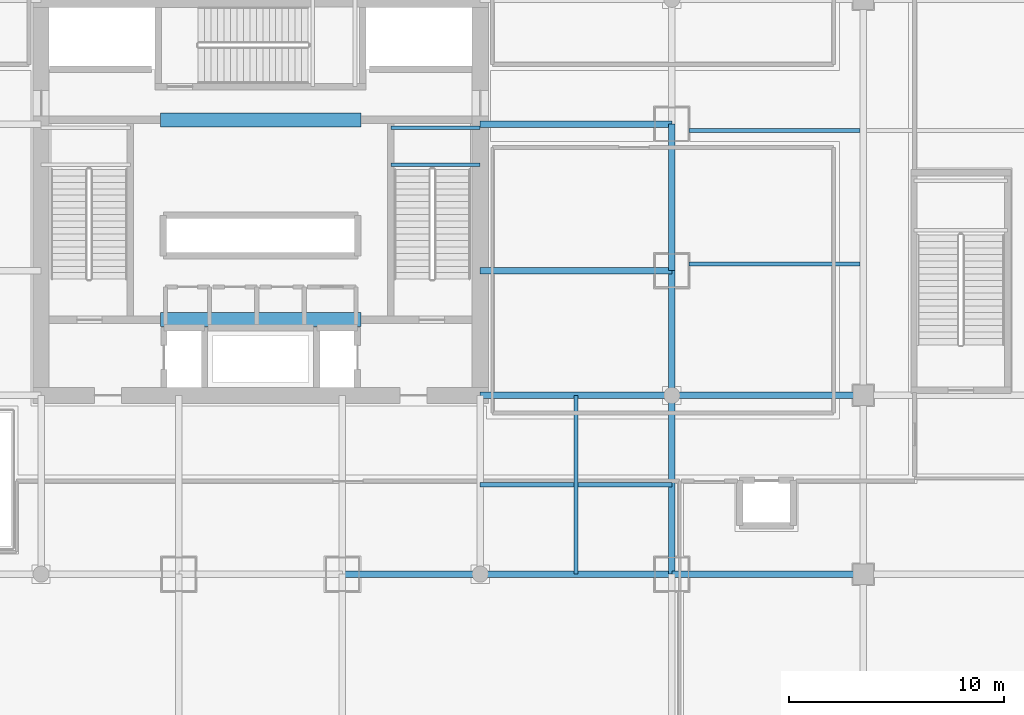
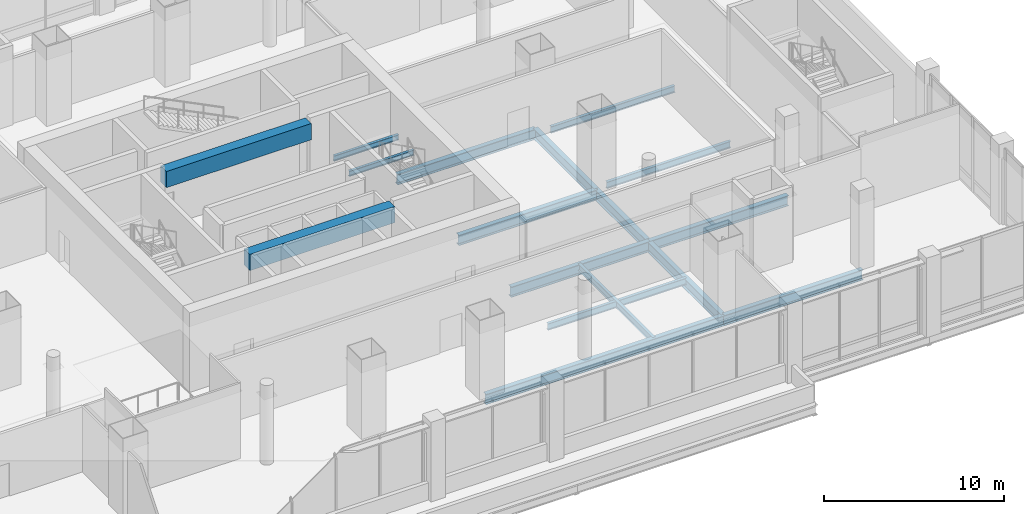
# One storey, part 11 of 43: 16 beams.
"""IFC4 building model written with IfcOpenShell, lengths in metres."""

from ifc_helpers import new_model, si_unit, direction, frame, origin, origin_2d, place, context, subcontext, project, spatial, rectangle, i_section, extrude, material, material_profile, profile_set, type_object, element, save


model = new_model("IFC4")

# Units and contexts
model_context = context("Model", 3, precision=1e-05, world=origin(), true_north=direction((0.0, 1.0)))
body_context = subcontext(model_context, "Body", "Model", "MODEL_VIEW")
ifc_project = project(units=[si_unit("LENGTHUNIT", "METRE"), si_unit("AREAUNIT", "SQUARE_METRE"), si_unit("VOLUMEUNIT", "CUBIC_METRE"), si_unit("PLANEANGLEUNIT", "RADIAN"), si_unit("MASSUNIT", "GRAM", prefix="KILO")], contexts=[model_context])

# Site, building, storey
site_placement = place(None, origin())
site = spatial("IfcSite", under=ifc_project, at=site_placement, CompositionType="ELEMENT")
building_placement = place(site_placement, origin())
building = spatial("IfcBuilding", under=site, at=building_placement, Name="Punatoya Terracotta Tower", CompositionType="ELEMENT")
storey_placement = place(building_placement, frame((0.0, 0.0, 6.0)))
storey = spatial("IfcBuildingStorey", under=building, at=storey_placement, Name="L01", CompositionType="ELEMENT", Elevation=6.0)

# Beams
ifc_material_1 = material(Name="Steel S355", Category="steel")
ifc_material_profile_1 = material_profile(ifc_material_1, i_section(OverallWidth=0.300048828125, OverallDepth=0.699951171875, WebThickness=0.01708984375, FlangeThickness=0.031982421875, FilletRadius=0.01806640625, at=origin_2d()))
ifc_profile_set_1 = profile_set([ifc_material_profile_1], Name="Steel S355")
beam_type_1 = type_object("IfcBeamType", Name="BM-PRI-700", PredefinedType="BEAM", material=ifc_profile_set_1)
beam_1_placement = place(storey_placement, frame((3.800048828125, -17.5, -0.6298828125), z_axis=(1.0, 0.0, 0.0), x_axis=(0.0, 1.0, 0.0)))
element("IfcBeam", 1, at=beam_1_placement, inside=storey, type_object=beam_type_1, Name="BM-L01-RG-S3", PredefinedType="BEAM", context=body_context, shape_type="SweptSolid", body=[
    extrude(i_section(OverallWidth=0.300048828125, OverallDepth=0.699951171875, WebThickness=0.01708984375, FlangeThickness=0.031982421875, FilletRadius=0.01806640625, at=origin_2d()), origin(), (0.0, 0.0, 1.0), 15.300048828125),
])
beam_2_placement = place(storey_placement, frame((19.10009765625, -17.5, -0.6298828125), z_axis=(0.0, 1.0, 0.0), x_axis=(-1.0, 0.0, 0.0)))
element("IfcBeam", 2, at=beam_2_placement, inside=storey, type_object=beam_type_1, Name="BM-L01-RG-E1", PredefinedType="BEAM", context=body_context, shape_type="SweptSolid", body=[
    extrude(i_section(OverallWidth=0.300048828125, OverallDepth=0.699951171875, WebThickness=0.01708984375, FlangeThickness=0.031982421875, FilletRadius=0.01806640625, at=origin_2d()), origin(), (0.0, 0.0, 1.0), 14.10009765625),
])
beam_3_placement = place(storey_placement, frame((19.10009765625, -3.39990234375, -0.6298828125), z_axis=(0.0, 1.0, 0.0), x_axis=(-1.0, 0.0, 0.0)))
element("IfcBeam", 3, at=beam_3_placement, inside=storey, type_object=beam_type_1, Name="BM-L01-RG-E2", PredefinedType="BEAM", context=body_context, shape_type="SweptSolid", body=[
    extrude(i_section(OverallWidth=0.300048828125, OverallDepth=0.699951171875, WebThickness=0.01708984375, FlangeThickness=0.031982421875, FilletRadius=0.01806640625, at=origin_2d()), origin(), (0.0, 0.0, 1.0), 6.7998046875),
])
for number, where, z_axis, x_axis, name in (
    (4, (10.199951171875, -9.199951171875, -0.6298828125), (1.0, 0.0, 0.0), (0.0, 1.0, 0.0), "BM-L01-PR-ES"),
    (5, (10.199951171875, -3.39990234375, -0.6298828125), (1.0, 0.0, 0.0), (0.0, 1.0, 0.0), "BM-L01-PR-ED"),
    (6, (10.199951171875, 3.39990234375, -0.6298828125), (1.0, 0.0, 0.0), (0.0, 1.0, 0.0), "BM-L01-PR-EE"),
):
    element("IfcBeam", number, at=place(storey_placement, frame(where, z_axis=z_axis, x_axis=x_axis)), inside=storey, type_object=beam_type_1, Name=name, PredefinedType="BEAM", context=body_context, shape_type="SweptSolid", body=[
        extrude(i_section(OverallWidth=0.300048828125, OverallDepth=0.699951171875, WebThickness=0.01708984375, FlangeThickness=0.031982421875, FilletRadius=0.01806640625, at=origin_2d()), origin(), (0.0, 0.0, 1.0), 8.900146484375),
    ])
for number, where, z_axis, x_axis, name in (
    (7, (19.10009765625, -17.5, -0.6298828125), (1.0, 0.0, 0.0), (0.0, 1.0, 0.0), "BM-L01-BE1"),
    (8, (19.10009765625, -9.199951171875, -0.6298828125), (1.0, 0.0, 0.0), (0.0, 1.0, 0.0), "BM-L01-CE1"),
):
    element("IfcBeam", number, at=place(storey_placement, frame(where, z_axis=z_axis, x_axis=x_axis)), inside=storey, type_object=beam_type_1, Name=name, PredefinedType="BEAM", context=body_context, shape_type="SweptSolid", body=[
        extrude(i_section(OverallWidth=0.300048828125, OverallDepth=0.699951171875, WebThickness=0.01708984375, FlangeThickness=0.031982421875, FilletRadius=0.01806640625, at=origin_2d()), origin(), (0.0, 0.0, 1.0), 8.89990234375),
    ])
ifc_material_2 = material(Name="Concrete C60/75", Category="concrete")
ifc_material_profile_2 = material_profile(ifc_material_2, rectangle(XDim=0.64990234375, YDim=1.10009765625, at=origin_2d()))
ifc_profile_set_2 = profile_set([ifc_material_profile_2], Name="Concrete C60/75")
beam_type_2 = type_object("IfcBeamType", Name="BM-RC-1100", PredefinedType="LINTEL", material=ifc_profile_set_2)
for number, where, z_axis, x_axis, name in (
    (9, (-4.64990234375, -5.679931640625, 4.570068359375), (1.0, 0.0, 0.0), (0.0, 1.0, 0.0), "L01 Core Coupling Lintel CSW"),
    (10, (-4.64990234375, 3.60009765625, 4.570068359375), (1.0, 0.0, 0.0), (0.0, 1.0, 0.0), "L01 Core Coupling Lintel CNW"),
):
    element("IfcBeam", number, at=place(storey_placement, frame(where, z_axis=z_axis, x_axis=x_axis)), inside=storey, type_object=beam_type_2, Name=name, PredefinedType="LINTEL", context=body_context, shape_type="SweptSolid", body=[
        extrude(rectangle(XDim=0.64990234375, YDim=1.10009765625, at=origin_2d()), origin(), (0.0, 0.0, 1.0), 9.2998046875),
    ])
ifc_material_profile_3 = material_profile(ifc_material_1, i_section(OverallWidth=0.169921875, OverallDepth=0.360107421875, WebThickness=0.008056640625, FlangeThickness=0.0126953125, FilletRadius=0.01806640625, at=origin_2d()))
ifc_profile_set_3 = profile_set([ifc_material_profile_3], Name="Steel S355")
beam_type_3 = type_object("IfcBeamType", Name="BM-SEC-360", PredefinedType="JOIST", material=ifc_profile_set_3)
for number, where, z_axis, x_axis, name in (
    (11, (6.050048828125, 1.52001953125, 2.320068359375), (1.0, 0.0, 0.0), (0.0, 1.0, 0.0), "BM-L01-ST-2-LD1A"),
    (12, (6.050048828125, 3.22998046875, 2.320068359375), (1.0, 0.0, 0.0), (0.0, 1.0, 0.0), "BM-L01-ST-2-LD1B"),
):
    element("IfcBeam", number, at=place(storey_placement, frame(where, z_axis=z_axis, x_axis=x_axis)), inside=storey, type_object=beam_type_3, Name=name, PredefinedType="JOIST", context=body_context, shape_type="SweptSolid", body=[
        extrude(i_section(OverallWidth=0.169921875, OverallDepth=0.360107421875, WebThickness=0.008056640625, FlangeThickness=0.0126953125, FilletRadius=0.01806640625, at=origin_2d()), origin(), (0.0, 0.0, 1.0), 4.14990234375),
    ])
ifc_material_profile_4 = material_profile(ifc_material_1, i_section(OverallWidth=0.18994140625, OverallDepth=0.449951171875, WebThickness=0.009521484375, FlangeThickness=0.0146484375, FilletRadius=0.01806640625, at=origin_2d()))
ifc_profile_set_4 = profile_set([ifc_material_profile_4], Name="Steel S355")
beam_type_4 = type_object("IfcBeamType", Name="BM-SEC-450", PredefinedType="JOIST", material=ifc_profile_set_4)
beam_4_placement = place(storey_placement, frame((10.199951171875, -13.35009765625, -0.5048828125), z_axis=(1.0, 0.0, 0.0), x_axis=(0.0, 1.0, 0.0)))
element("IfcBeam", 13, at=beam_4_placement, inside=storey, type_object=beam_type_4, Name="BM-L01-SJS-2", PredefinedType="JOIST", context=body_context, shape_type="SweptSolid", body=[
    extrude(i_section(OverallWidth=0.18994140625, OverallDepth=0.449951171875, WebThickness=0.009521484375, FlangeThickness=0.0146484375, FilletRadius=0.01806640625, at=origin_2d()), origin(), (0.0, 0.0, 1.0), 8.900146484375),
])
beam_5_placement = place(storey_placement, frame((14.64990234375, -17.5, -0.5048828125), z_axis=(0.0, 1.0, 0.0), x_axis=(-1.0, 0.0, 0.0)))
element("IfcBeam", 14, at=beam_5_placement, inside=storey, type_object=beam_type_4, Name="BM-L01-SJE-1", PredefinedType="JOIST", context=body_context, shape_type="SweptSolid", body=[
    extrude(i_section(OverallWidth=0.18994140625, OverallDepth=0.449951171875, WebThickness=0.009521484375, FlangeThickness=0.0146484375, FilletRadius=0.01806640625, at=origin_2d()), origin(), (0.0, 0.0, 1.0), 8.300048828125),
])
for number, where, z_axis, x_axis, name in (
    (15, (19.89990234375, -3.10009765625, -0.5048828125), (1.0, 0.0, 0.0), (0.0, 1.0, 0.0), "BM-L01-WNGJ-E1--31"),
    (16, (19.89990234375, 3.10009765625, -0.5048828125), (1.0, 0.0, 0.0), (0.0, 1.0, 0.0), "BM-L01-WNGJ-E1-31"),
):
    element("IfcBeam", number, at=place(storey_placement, frame(where, z_axis=z_axis, x_axis=x_axis)), inside=storey, type_object=beam_type_4, Name=name, PredefinedType="JOIST", context=body_context, shape_type="SweptSolid", body=[
        extrude(i_section(OverallWidth=0.18994140625, OverallDepth=0.449951171875, WebThickness=0.009521484375, FlangeThickness=0.0146484375, FilletRadius=0.01806640625, at=origin_2d()), origin(), (0.0, 0.0, 1.0), 7.9501953125),
    ])

save(model, "model.ifc")
